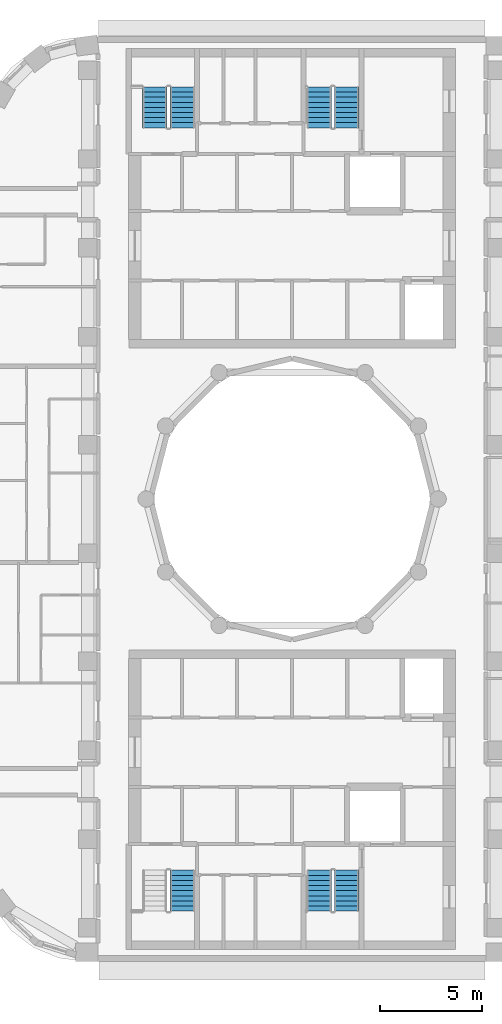
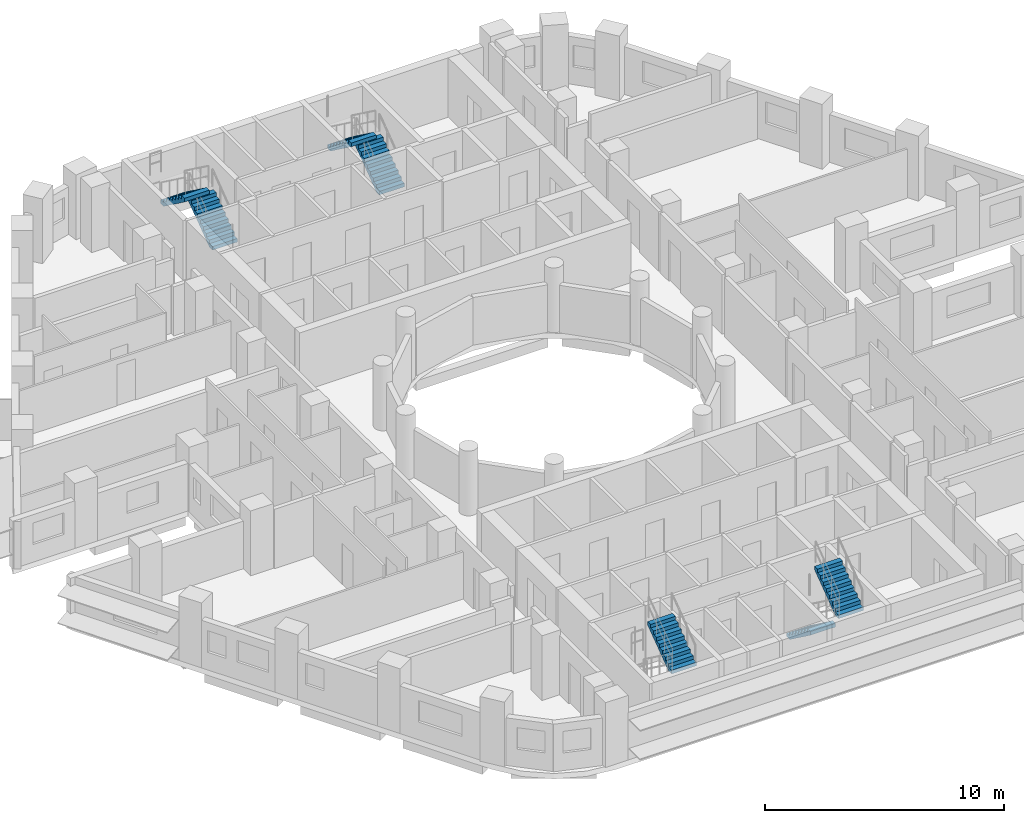
# One storey, part 9 of 13: 7 stair flights, 4 elements without a shape of their own.
"""IFC4 building model written with IfcOpenShell, lengths in metres."""

import ifcopenshell
import ifcopenshell.guid

model = None  # the IFC model being written
_history = None  # IfcOwnerHistory: only IFC2X3 demands one
_inside = {}  # id of a spatial element -> (the spatial element, [elements in it])
_under = {}  # id of a project, library or spatial element -> (it, [spatial elements below it])
_declared = {}  # id of a project -> (the project, [libraries it declares])
_typed = {}  # id of a type object -> (the type object, [elements of that type])
_made_of = {}  # id of a material, layer set ... -> (it, [elements and type objects made of it])


def new_model(schema):
    """Start an empty IFC model of exactly this schema.

    Asked for "IFC4X3", IfcOpenShell would pick the latest addendum, in which some entities
    have other attributes; the version numbers below select the first issue.
    IFC2X3 requires an IfcOwnerHistory on every rooted entity: one is made here for all.
    """
    global model, _history
    if schema == "IFC4X3":
        model = ifcopenshell.file(schema_version=(4, 3, 0, 0))
    else:
        model = ifcopenshell.file(schema=schema)
    _inside.clear()
    _under.clear()
    _declared.clear()
    _typed.clear()
    _made_of.clear()
    _history = None
    if model.schema == "IFC2X3":
        org = make("IfcOrganization", Name="unknown")
        user = make(
            "IfcPersonAndOrganization",
            ThePerson=make("IfcPerson", FamilyName="unknown"),
            TheOrganization=org,
        )
        app = make(
            "IfcApplication",
            ApplicationDeveloper=org,
            Version="unknown",
            ApplicationFullName="unknown",
            ApplicationIdentifier="unknown",
        )
        _history = make(
            "IfcOwnerHistory",
            OwningUser=user,
            OwningApplication=app,
            ChangeAction="ADDED",
            CreationDate=0,
        )
    return model


def make(cls, **values):
    """One entity of the class cls with the attributes given. An attribute that is None is left unset."""
    return model.create_entity(
        cls, **{name: value for name, value in values.items() if value is not None}
    )


def rooted(cls, **values):
    """An entity with a GlobalId (a new one), such as an element, a storey or a relation."""
    return make(cls, GlobalId=ifcopenshell.guid.new(), OwnerHistory=_history, **values)


def si_unit(unit_type, name, prefix=None):
    """IfcSIUnit, for example si_unit("LENGTHUNIT", "METRE", prefix="MILLI")."""
    return make("IfcSIUnit", UnitType=unit_type, Prefix=prefix, Name=name)


def assignment(units):
    """IfcUnitAssignment: the units of a project."""
    return None if units is None else make("IfcUnitAssignment", Units=units)


def point(xyz):
    """IfcCartesianPoint."""
    return None if xyz is None else make("IfcCartesianPoint", Coordinates=xyz)


def direction(xyz):
    """IfcDirection."""
    return None if xyz is None else make("IfcDirection", DirectionRatios=xyz)


def frame(location, z_axis=None, x_axis=None):
    """IfcAxis2Placement3D, a coordinate frame: its origin and axes. An axis left out is left unset."""
    return make(
        "IfcAxis2Placement3D",
        Location=point(location),
        Axis=direction(z_axis),
        RefDirection=direction(x_axis),
    )


def origin():
    """The frame at (0, 0, 0) with its axes left unset."""
    return frame((0.0, 0.0, 0.0))


def place(relative_to, where):
    """IfcLocalPlacement: puts the frame where relative to a parent placement (None: the world)."""
    return make(
        "IfcLocalPlacement", PlacementRelTo=relative_to, RelativePlacement=where
    )


def context(
    kind, dimensions, precision=None, world=None, true_north=None, identifier=None
):
    """IfcGeometricRepresentationContext, for example the 3D "Model" context."""
    return make(
        "IfcGeometricRepresentationContext",
        ContextIdentifier=identifier,
        ContextType=kind,
        CoordinateSpaceDimension=dimensions,
        Precision=precision,
        WorldCoordinateSystem=world,
        TrueNorth=true_north,
    )


def subcontext(parent, identifier, kind, view, scale=None):
    """IfcGeometricRepresentationSubContext, for example "Body" below "Model"."""
    return make(
        "IfcGeometricRepresentationSubContext",
        ContextIdentifier=identifier,
        ContextType=kind,
        ParentContext=parent,
        TargetScale=scale,
        TargetView=view,
    )


def project(units=None, contexts=None):
    """IfcProject with its units and contexts."""
    return rooted(
        "IfcProject",
        Name="project",
        RepresentationContexts=contexts,
        UnitsInContext=assignment(units),
    )


def spatial(cls, under=None, at=None, **own):
    """A site, building, storey or space (cls), placed at a placement, below another one or the project."""
    s = rooted(cls, ObjectPlacement=at, **own)
    if under is not None:
        _under.setdefault(under.id(), (under, []))[1].append(s)
    return s


def polyline(points):
    """IfcPolyline through the points."""
    return make("IfcPolyline", Points=[point(p) for p in points])


def outline(outer, holes=None, kind="AREA"):
    """IfcArbitraryClosedProfileDef: a profile drawn as a closed curve; with holes, ...WithVoids."""
    if holes is None:
        return make("IfcArbitraryClosedProfileDef", ProfileType=kind, OuterCurve=outer)
    return make(
        "IfcArbitraryProfileDefWithVoids",
        ProfileType=kind,
        OuterCurve=outer,
        InnerCurves=holes,
    )


def extrude(swept, where, along, depth):
    """IfcExtrudedAreaSolid: the profile swept, set in the frame where, extruded along a direction by depth."""
    return make(
        "IfcExtrudedAreaSolid",
        SweptArea=swept,
        Position=where,
        ExtrudedDirection=direction(along),
        Depth=depth,
    )


def shape(context_of_items, identifier, shape_type, items):
    """IfcShapeRepresentation: the items that make up one representation, for example the "Body"."""
    return make(
        "IfcShapeRepresentation",
        ContextOfItems=context_of_items,
        RepresentationIdentifier=identifier,
        RepresentationType=shape_type,
        Items=items,
    )


def material(Name=None, Category=None):
    """IfcMaterial."""
    return make("IfcMaterial", Name=Name, Category=Category)


def made_of(thing, what):
    """Note that an element or type object is made of a material, layer set ...; save() writes the relation."""
    if what is not None:
        _made_of.setdefault(what.id(), (what, []))[1].append(thing)
    return thing


def type_object(cls, material=None, **own):
    """A type object (cls), such as IfcWallType, which elements share."""
    return made_of(rooted(cls, **own), material)


def element(
    cls,
    number,
    at=None,
    inside=None,
    cuts=None,
    type_object=None,
    material=None,
    context=None,
    identifier="Body",
    shape_type=None,
    held_by="IfcProductDefinitionShape",
    body=None,
    shapes=None,
    **own,
):
    """One element of the class cls, such as IfcWall. Its Tag is "e" and its number.

    at: its placement. inside: the storey or other place that contains it. cuts: it is an
    opening in that element (IfcRelVoidsElement). A single representation is given by context,
    identifier, shape_type and body (its items); several are given by shapes. held_by: the class
    of the entity that holds the representations. save() writes the other relations.
    """
    e = rooted(cls, Tag="e%d" % number, ObjectPlacement=at, **own)
    if body is not None:
        shapes = [shape(context, identifier, shape_type, body)]
    if shapes is not None:
        e.Representation = make(held_by, Representations=shapes)
    if inside is not None:
        _inside.setdefault(inside.id(), (inside, []))[1].append(e)
    if cuts is not None:
        rooted(
            "IfcRelVoidsElement", RelatingBuildingElement=cuts, RelatedOpeningElement=e
        )
    if type_object is not None:
        _typed.setdefault(type_object.id(), (type_object, []))[1].append(e)
    return made_of(e, material)


def aggregate(whole, parts):
    """IfcRelAggregates: a whole, such as a stair, and the parts it consists of."""
    return rooted("IfcRelAggregates", RelatingObject=whole, RelatedObjects=parts)


def save(model, path):
    """Write the relations noted so far, then the file.

    IfcRelAggregates (storeys below a building ...), IfcRelContainedInSpatialStructure (elements
    in a storey), IfcRelDefinesByType, IfcRelAssociatesMaterial and IfcRelDeclares: one each for
    every whole, place, type object, material and project.
    """
    for whole, parts in _under.values():
        aggregate(whole, parts)
    for where, things in _inside.values():
        rooted(
            "IfcRelContainedInSpatialStructure",
            RelatedElements=things,
            RelatingStructure=where,
        )
    for kind, things in _typed.values():
        rooted("IfcRelDefinesByType", RelatedObjects=things, RelatingType=kind)
    for what, things in _made_of.values():
        rooted("IfcRelAssociatesMaterial", RelatedObjects=things, RelatingMaterial=what)
    for by, libraries in _declared.values():
        rooted("IfcRelDeclares", RelatingContext=by, RelatedDefinitions=libraries)
    model.write(path)


model = new_model("IFC4")

# Units and contexts
model_context = context("Model", 3, precision=1e-05, world=origin(), true_north=direction((0.0, 1.0)))
body_context = subcontext(model_context, "Body", "Model", "MODEL_VIEW")
ifc_project = project(units=[si_unit("LENGTHUNIT", "METRE"), si_unit("AREAUNIT", "SQUARE_METRE"), si_unit("VOLUMEUNIT", "CUBIC_METRE"), si_unit("PLANEANGLEUNIT", "RADIAN"), si_unit("MASSUNIT", "GRAM", prefix="KILO")], contexts=[model_context])

# Site, building, storey
site_placement = place(None, origin())
site = spatial("IfcSite", under=ifc_project, at=site_placement, CompositionType="ELEMENT")
building_placement = place(site_placement, origin())
building = spatial("IfcBuilding", under=site, at=building_placement, Name="Nakaniwa Court", CompositionType="ELEMENT")
storey_placement = place(building_placement, frame((0.0, 0.0, 239.39990234375)))
storey = spatial("IfcBuildingStorey", under=building, at=storey_placement, Name="L62", CompositionType="ELEMENT", Elevation=239.39990234375)

# Stair, stair flights
ifc_material = material(Name="Concrete C80/100", Category="concrete")
stair_type = type_object("IfcStairType", Name="Dog leg stair 1200 wide 18 risers", PredefinedType="HALF_TURN_STAIR", material=ifc_material)
stair_1_placement = place(storey_placement, origin())
stair_1 = element("IfcStair", 1, at=stair_1_placement, inside=storey, type_object=stair_type, Name="L62 Stair ST1", PredefinedType="HALF_TURN_STAIR")
stair_flight_type = type_object("IfcStairFlightType", Name="Stair flight 1200 wide 9 risers", PredefinedType="STRAIGHT", material=ifc_material)
stair_flight_1_placement = place(storey_placement, frame((74.625, 98.175048828125, 0.0), z_axis=(0.0, 0.0, 1.0), x_axis=(0.0, 1.0, 0.0)))
stair_flight_1 = element("IfcStairFlight", 2, at=stair_flight_1_placement, type_object=stair_flight_type, Name="ST1 flight 1", NumberOfRisers=9, NumberOfTreads=8, PredefinedType="STRAIGHT", RiserHeight=0.183333333, TreadLength=0.25, context=body_context, shape_type="SweptSolid", body=[
    extrude(outline(polyline([(0.0, 0.0), (0.0, 0.026123046875), (0.0, 0.052490234375), (0.0, 0.07861328125), (0.0, 0.104736328125), (0.0, 0.130859375), (0.0, 0.1572265625), (0.0, 0.183349609375), (0.25, 0.183349609375), (0.25, 0.36669921875), (0.5, 0.36669921875), (0.5, 0.550048828125), (0.75, 0.550048828125), (0.75, 0.7333984375), (1.0, 0.7333984375), (1.0, 0.916748046875), (1.25, 0.916748046875), (1.25, 1.10009765625), (1.5, 1.10009765625), (1.5, 1.283447265625), (1.75, 1.283447265625), (1.75, 1.466552734375), (2.0, 1.466552734375), (2.0, 1.64990234375), (2.0, 1.59716796875), (2.0, 1.54443359375), (2.0, 1.49169921875), (2.0, 1.43896484375), (2.0, 1.38623046875), (2.0, 1.33349609375), (2.0, 1.28076171875), (0.25341796875, 0.0), (0.0, 0.0)])), frame((0.0, 0.60009765625, 0.0), z_axis=(0.0, -1.0, 0.0), x_axis=(1.0, 0.0, 0.0)), (0.0, 0.0, 1.0), 1.199951171875),
])
stair_flight_2_placement = place(storey_placement, frame((73.27490234375, 100.175048828125, 1.650146484375), z_axis=(0.0, 0.0, 1.0), x_axis=(0.0, -1.0, 0.0)))
stair_flight_2 = element("IfcStairFlight", 3, at=stair_flight_2_placement, type_object=stair_flight_type, Name="ST1 flight 2", NumberOfRisers=9, NumberOfTreads=8, PredefinedType="STRAIGHT", RiserHeight=0.183333333, TreadLength=0.25, context=body_context, shape_type="SweptSolid", body=[
    extrude(outline(polyline([(0.0, 0.0), (0.0, 0.026123046875), (0.0, 0.052490234375), (0.0, 0.07861328125), (0.0, 0.104736328125), (0.0, 0.130859375), (0.0, 0.1572265625), (0.0, 0.183349609375), (0.25, 0.183349609375), (0.25, 0.36669921875), (0.5, 0.36669921875), (0.5, 0.550048828125), (0.75, 0.550048828125), (0.75, 0.7333984375), (1.0, 0.7333984375), (1.0, 0.916748046875), (1.25, 0.916748046875), (1.25, 1.10009765625), (1.5, 1.10009765625), (1.5, 1.283447265625), (1.75, 1.283447265625), (1.75, 1.466552734375), (2.0, 1.466552734375), (2.0, 1.64990234375), (2.0, 1.59716796875), (2.0, 1.54443359375), (2.0, 1.49169921875), (2.0, 1.43896484375), (2.0, 1.38623046875), (2.0, 1.33349609375), (2.0, 1.28076171875), (0.25341796875, 0.0), (0.0, 0.0)])), frame((0.0, 0.60009765625, 0.0), z_axis=(0.0, -1.0, 0.0), x_axis=(1.0, 0.0, 0.0)), (0.0, 0.0, 1.0), 1.199951171875),
])
aggregate(stair_1, [stair_flight_1, stair_flight_2])

stair_2_placement = place(storey_placement, origin())
stair_2 = element("IfcStair", 4, at=stair_2_placement, inside=storey, type_object=stair_type, Name="L62 Stair ST2", PredefinedType="HALF_TURN_STAIR")
stair_flight_3_placement = place(storey_placement, frame((82.675048828125, 98.175048828125, 0.0), z_axis=(0.0, 0.0, 1.0), x_axis=(0.0, 1.0, 0.0)))
stair_flight_3 = element("IfcStairFlight", 5, at=stair_flight_3_placement, type_object=stair_flight_type, Name="ST2 flight 1", NumberOfRisers=9, NumberOfTreads=8, PredefinedType="STRAIGHT", RiserHeight=0.183333333, TreadLength=0.25, context=body_context, shape_type="SweptSolid", body=[
    extrude(outline(polyline([(0.0, 0.0), (0.0, 0.026123046875), (0.0, 0.052490234375), (0.0, 0.07861328125), (0.0, 0.104736328125), (0.0, 0.130859375), (0.0, 0.1572265625), (0.0, 0.183349609375), (0.25, 0.183349609375), (0.25, 0.36669921875), (0.5, 0.36669921875), (0.5, 0.550048828125), (0.75, 0.550048828125), (0.75, 0.7333984375), (1.0, 0.7333984375), (1.0, 0.916748046875), (1.25, 0.916748046875), (1.25, 1.10009765625), (1.5, 1.10009765625), (1.5, 1.283447265625), (1.75, 1.283447265625), (1.75, 1.466552734375), (2.0, 1.466552734375), (2.0, 1.64990234375), (2.0, 1.59716796875), (2.0, 1.54443359375), (2.0, 1.49169921875), (2.0, 1.43896484375), (2.0, 1.38623046875), (2.0, 1.33349609375), (2.0, 1.28076171875), (0.25341796875, 0.0), (0.0, 0.0)])), frame((0.0, 0.60009765625, 0.0), z_axis=(0.0, -1.0, 0.0), x_axis=(1.0, 0.0, 0.0)), (0.0, 0.0, 1.0), 1.199951171875),
])
stair_flight_4_placement = place(storey_placement, frame((81.324951171875, 100.175048828125, 1.650146484375), z_axis=(0.0, 0.0, 1.0), x_axis=(0.0, -1.0, 0.0)))
stair_flight_4 = element("IfcStairFlight", 6, at=stair_flight_4_placement, type_object=stair_flight_type, Name="ST2 flight 2", NumberOfRisers=9, NumberOfTreads=8, PredefinedType="STRAIGHT", RiserHeight=0.183333333, TreadLength=0.25, context=body_context, shape_type="SweptSolid", body=[
    extrude(outline(polyline([(0.0, 0.0), (0.0, 0.026123046875), (0.0, 0.052490234375), (0.0, 0.07861328125), (0.0, 0.104736328125), (0.0, 0.130859375), (0.0, 0.1572265625), (0.0, 0.183349609375), (0.25, 0.183349609375), (0.25, 0.36669921875), (0.5, 0.36669921875), (0.5, 0.550048828125), (0.75, 0.550048828125), (0.75, 0.7333984375), (1.0, 0.7333984375), (1.0, 0.916748046875), (1.25, 0.916748046875), (1.25, 1.10009765625), (1.5, 1.10009765625), (1.5, 1.283447265625), (1.75, 1.283447265625), (1.75, 1.466552734375), (2.0, 1.466552734375), (2.0, 1.64990234375), (2.0, 1.59716796875), (2.0, 1.54443359375), (2.0, 1.49169921875), (2.0, 1.43896484375), (2.0, 1.38623046875), (2.0, 1.33349609375), (2.0, 1.28076171875), (0.25341796875, 0.0), (0.0, 0.0)])), frame((0.0, 0.60009765625, 0.0), z_axis=(0.0, -1.0, 0.0), x_axis=(1.0, 0.0, 0.0)), (0.0, 0.0, 1.0), 1.199951171875),
])
aggregate(stair_2, [stair_flight_3, stair_flight_4])

# Stair, stair flight
stair_3_placement = place(storey_placement, origin())
stair_3 = element("IfcStair", 7, at=stair_3_placement, inside=storey, type_object=stair_type, Name="L62 Stair ST3", PredefinedType="HALF_TURN_STAIR")
stair_flight_5_placement = place(storey_placement, frame((74.625, 59.824951171875, 1.650146484375), z_axis=(0.0, 0.0, 1.0), x_axis=(0.0, 1.0, 0.0)))
stair_flight_5 = element("IfcStairFlight", 8, at=stair_flight_5_placement, type_object=stair_flight_type, Name="ST3 flight 2", NumberOfRisers=9, NumberOfTreads=8, PredefinedType="STRAIGHT", RiserHeight=0.183333333, TreadLength=0.25, context=body_context, shape_type="SweptSolid", body=[
    extrude(outline(polyline([(0.0, 0.0), (0.0, 0.026123046875), (0.0, 0.052490234375), (0.0, 0.07861328125), (0.0, 0.104736328125), (0.0, 0.130859375), (0.0, 0.1572265625), (0.0, 0.183349609375), (0.25, 0.183349609375), (0.25, 0.36669921875), (0.5, 0.36669921875), (0.5, 0.550048828125), (0.75, 0.550048828125), (0.75, 0.7333984375), (1.0, 0.7333984375), (1.0, 0.916748046875), (1.25, 0.916748046875), (1.25, 1.10009765625), (1.5, 1.10009765625), (1.5, 1.283447265625), (1.75, 1.283447265625), (1.75, 1.466552734375), (2.0, 1.466552734375), (2.0, 1.64990234375), (2.0, 1.59716796875), (2.0, 1.54443359375), (2.0, 1.49169921875), (2.0, 1.43896484375), (2.0, 1.38623046875), (2.0, 1.33349609375), (2.0, 1.28076171875), (0.25341796875, 0.0), (0.0, 0.0)])), frame((0.0, 0.60009765625, 0.0), z_axis=(0.0, -1.0, 0.0), x_axis=(1.0, 0.0, 0.0)), (0.0, 0.0, 1.0), 1.199951171875),
])
aggregate(stair_3, [stair_flight_5])

# Stair, stair flights
stair_4_placement = place(storey_placement, origin())
stair_4 = element("IfcStair", 9, at=stair_4_placement, inside=storey, type_object=stair_type, Name="L62 Stair ST4", PredefinedType="HALF_TURN_STAIR")
stair_flight_6_placement = place(storey_placement, frame((81.324951171875, 61.824951171875, 0.0), z_axis=(0.0, 0.0, 1.0), x_axis=(0.0, -1.0, 0.0)))
stair_flight_6 = element("IfcStairFlight", 10, at=stair_flight_6_placement, type_object=stair_flight_type, Name="ST4 flight 1", NumberOfRisers=9, NumberOfTreads=8, PredefinedType="STRAIGHT", RiserHeight=0.183333333, TreadLength=0.25, context=body_context, shape_type="SweptSolid", body=[
    extrude(outline(polyline([(0.0, 0.0), (0.0, 0.026123046875), (0.0, 0.052490234375), (0.0, 0.07861328125), (0.0, 0.104736328125), (0.0, 0.130859375), (0.0, 0.1572265625), (0.0, 0.183349609375), (0.25, 0.183349609375), (0.25, 0.36669921875), (0.5, 0.36669921875), (0.5, 0.550048828125), (0.75, 0.550048828125), (0.75, 0.7333984375), (1.0, 0.7333984375), (1.0, 0.916748046875), (1.25, 0.916748046875), (1.25, 1.10009765625), (1.5, 1.10009765625), (1.5, 1.283447265625), (1.75, 1.283447265625), (1.75, 1.466552734375), (2.0, 1.466552734375), (2.0, 1.64990234375), (2.0, 1.59716796875), (2.0, 1.54443359375), (2.0, 1.49169921875), (2.0, 1.43896484375), (2.0, 1.38623046875), (2.0, 1.33349609375), (2.0, 1.28076171875), (0.25341796875, 0.0), (0.0, 0.0)])), frame((0.0, 0.60009765625, 0.0), z_axis=(0.0, -1.0, 0.0), x_axis=(1.0, 0.0, 0.0)), (0.0, 0.0, 1.0), 1.199951171875),
])
stair_flight_7_placement = place(storey_placement, frame((82.675048828125, 59.824951171875, 1.650146484375), z_axis=(0.0, 0.0, 1.0), x_axis=(0.0, 1.0, 0.0)))
stair_flight_7 = element("IfcStairFlight", 11, at=stair_flight_7_placement, type_object=stair_flight_type, Name="ST4 flight 2", NumberOfRisers=9, NumberOfTreads=8, PredefinedType="STRAIGHT", RiserHeight=0.183333333, TreadLength=0.25, context=body_context, shape_type="SweptSolid", body=[
    extrude(outline(polyline([(0.0, 0.0), (0.0, 0.026123046875), (0.0, 0.052490234375), (0.0, 0.07861328125), (0.0, 0.104736328125), (0.0, 0.130859375), (0.0, 0.1572265625), (0.0, 0.183349609375), (0.25, 0.183349609375), (0.25, 0.36669921875), (0.5, 0.36669921875), (0.5, 0.550048828125), (0.75, 0.550048828125), (0.75, 0.7333984375), (1.0, 0.7333984375), (1.0, 0.916748046875), (1.25, 0.916748046875), (1.25, 1.10009765625), (1.5, 1.10009765625), (1.5, 1.283447265625), (1.75, 1.283447265625), (1.75, 1.466552734375), (2.0, 1.466552734375), (2.0, 1.64990234375), (2.0, 1.59716796875), (2.0, 1.54443359375), (2.0, 1.49169921875), (2.0, 1.43896484375), (2.0, 1.38623046875), (2.0, 1.33349609375), (2.0, 1.28076171875), (0.25341796875, 0.0), (0.0, 0.0)])), frame((0.0, 0.60009765625, 0.0), z_axis=(0.0, -1.0, 0.0), x_axis=(1.0, 0.0, 0.0)), (0.0, 0.0, 1.0), 1.199951171875),
])
aggregate(stair_4, [stair_flight_6, stair_flight_7])

save(model, "model.ifc")
